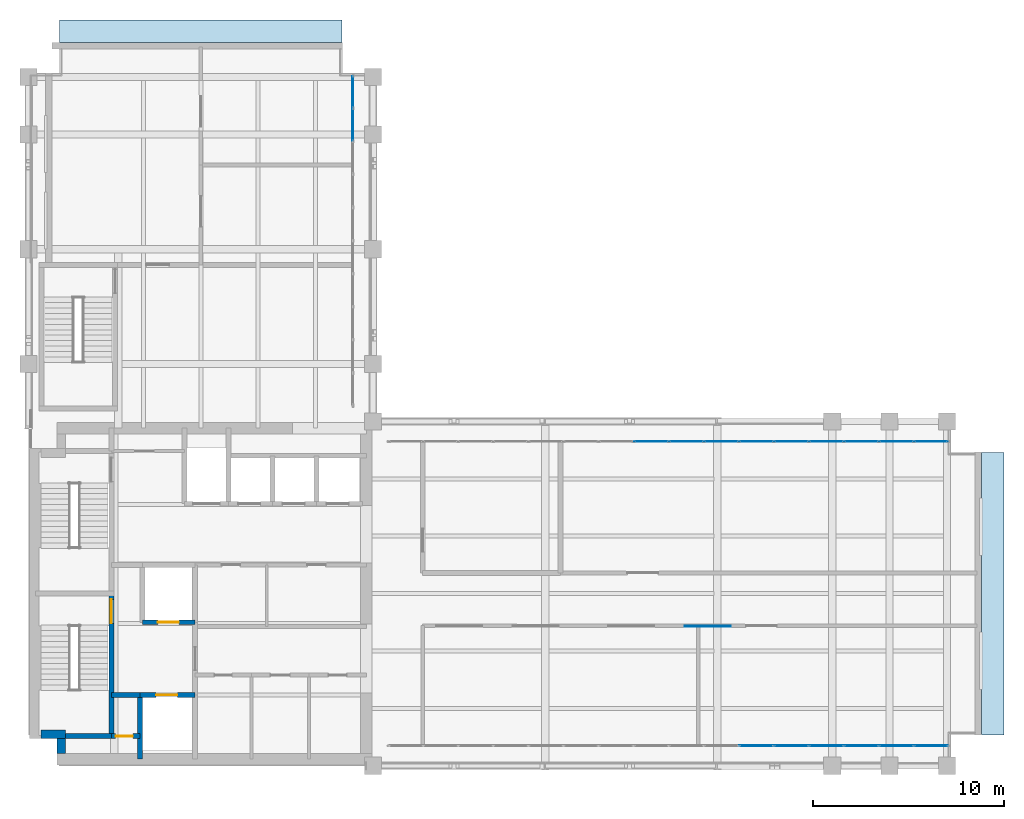
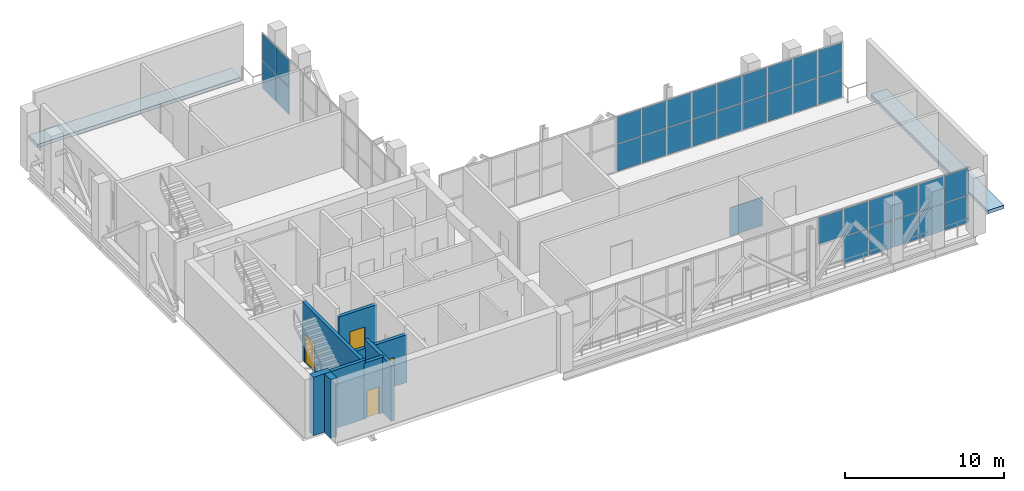
# One storey, part 22 of 26: 34 plates, 9 walls, 4 doors, 2 slabs, 4 openings, 3 elements without a shape of their own.
"""IFC4 building model written with IfcOpenShell, lengths in metres."""

from ifc_helpers import new_model, si_unit, direction, frame, frame_2d, origin, origin_2d, place, context, subcontext, project, spatial, polyline, rectangle, outline, extrude, material, layer, layer_set, type_object, element, fill, aggregate, save


model = new_model("IFC4")

# Units and contexts
model_context = context("Model", 3, precision=1e-05, world=origin(), true_north=direction((0.0, 1.0)))
body_context = subcontext(model_context, "Body", "Model", "MODEL_VIEW")
ifc_project = project(units=[si_unit("LENGTHUNIT", "METRE"), si_unit("AREAUNIT", "SQUARE_METRE"), si_unit("VOLUMEUNIT", "CUBIC_METRE"), si_unit("PLANEANGLEUNIT", "RADIAN"), si_unit("MASSUNIT", "GRAM", prefix="KILO")], contexts=[model_context])

# Site, building, storey
site_placement = place(None, origin())
site = spatial("IfcSite", under=ifc_project, at=site_placement, CompositionType="ELEMENT")
building_placement = place(site_placement, origin())
building = spatial("IfcBuilding", under=site, at=building_placement, Name="Mawjdan Bourse Tower", CompositionType="ELEMENT")
storey_placement = place(building_placement, frame((0.0, 0.0, 226.800048828125)))
storey = spatial("IfcBuildingStorey", under=building, at=storey_placement, Name="L55", CompositionType="ELEMENT", Elevation=226.800048828125)

# Plate
ifc_material_1 = material(Name="Perforated Acoustic Aluminium Sheet", Category="aluminium")
ifc_layer_1 = layer(ifc_material_1, 0.044921875)
ifc_layer_set_1 = layer_set([ifc_layer_1], Name="Perforated Acoustic Aluminium Sheet")
plate_type_1 = type_object("IfcPlateType", Name="PLT-SCR-2400", PredefinedType="SHEET", material=ifc_layer_set_1)
plate_1_placement = place(storey_placement, frame((41.5, 10.300048828125, 0.0), z_axis=(0.0, 0.0, 1.0), x_axis=(1.0, 0.0, 0.0)))
element("IfcPlate", 1, at=plate_1_placement, inside=storey, type_object=plate_type_1, Name="L55 Acoustic Plant Plenum Screen 4", PredefinedType="SHEET", context=body_context, shape_type="SweptSolid", body=[
    extrude(rectangle(XDim=2.39990234375, YDim=0.044921875, at=origin_2d()), origin(), (0.0, 0.0, 1.0), 2.199951171875),
])

# Curtain wall, plates
ifc_material_2 = material(Name="Thermally Broken Aluminium and Solar Glass", Category="aluminium")
ifc_layer_2 = layer(ifc_material_2, 0.219970703125)
ifc_layer_set_2 = layer_set([ifc_layer_2], Name="Thermally Broken Aluminium and Solar Glass")
curtain_wall_type = type_object("IfcCurtainWallType", Name="CW-RFG", PredefinedType="USERDEFINED", material=ifc_layer_set_2)
curtain_wall_1_placement = place(storey_placement, origin())
curtain_wall_1 = element("IfcCurtainWall", 2, at=curtain_wall_1_placement, inside=storey, type_object=curtain_wall_type, Name="L55 Refuge Band South Louvre Curtain Wall", ObjectType="REFUGE BAND LOUVRE SCREEN", PredefinedType="USERDEFINED")
ifc_material_3 = material(Name="Anodised Sand-Trap Aluminium Louvre", Category="aluminium")
ifc_layer_3 = layer(ifc_material_3, 0.050048828125)
ifc_layer_set_3 = layer_set([ifc_layer_3], Name="Anodised Sand-Trap Aluminium Louvre")
plate_type_2 = type_object("IfcPlateType", Name="PNL-CW-RFG", PredefinedType="CURTAIN_PANEL", material=ifc_layer_set_3)
plate_2_placement = place(storey_placement, frame((44.028076171875, 4.050048828125, 2.177490234375), z_axis=(0.0, 0.0, 1.0), x_axis=(1.0, 0.0, 0.0)))
plate_2 = element("IfcPlate", 3, at=plate_2_placement, type_object=plate_type_2, Name="CW-RFG-L55-RFG-S panel 11.2", PredefinedType="CURTAIN_PANEL", context=body_context, shape_type="SweptSolid", body=[
    extrude(rectangle(XDim=1.766357421875, YDim=0.050048828125, at=origin_2d()), origin(), (0.0, 0.0, 1.0), 2.0673828125),
])
plate_3_placement = place(storey_placement, frame((45.859375, 4.050048828125, 0.054931640625), z_axis=(0.0, 0.0, 1.0), x_axis=(1.0, 0.0, 0.0)))
plate_3 = element("IfcPlate", 4, at=plate_3_placement, type_object=plate_type_2, Name="CW-RFG-L55-RFG-S panel 12.1", PredefinedType="CURTAIN_PANEL", context=body_context, shape_type="SweptSolid", body=[
    extrude(rectangle(XDim=1.766357421875, YDim=0.050048828125, at=origin_2d()), origin(), (0.0, 0.0, 1.0), 2.0673828125),
])
plate_4_placement = place(storey_placement, frame((45.859375, 4.050048828125, 2.177490234375), z_axis=(0.0, 0.0, 1.0), x_axis=(1.0, 0.0, 0.0)))
plate_4 = element("IfcPlate", 5, at=plate_4_placement, type_object=plate_type_2, Name="CW-RFG-L55-RFG-S panel 12.2", PredefinedType="CURTAIN_PANEL", context=body_context, shape_type="SweptSolid", body=[
    extrude(rectangle(XDim=1.766357421875, YDim=0.050048828125, at=origin_2d()), origin(), (0.0, 0.0, 1.0), 2.0673828125),
])
plate_5_placement = place(storey_placement, frame((47.690673828125, 4.050048828125, 0.054931640625), z_axis=(0.0, 0.0, 1.0), x_axis=(1.0, 0.0, 0.0)))
plate_5 = element("IfcPlate", 6, at=plate_5_placement, type_object=plate_type_2, Name="CW-RFG-L55-RFG-S panel 13.1", PredefinedType="CURTAIN_PANEL", context=body_context, shape_type="SweptSolid", body=[
    extrude(rectangle(XDim=1.766357421875, YDim=0.050048828125, at=origin_2d()), origin(), (0.0, 0.0, 1.0), 2.0673828125),
])
plate_6_placement = place(storey_placement, frame((47.690673828125, 4.050048828125, 2.177490234375), z_axis=(0.0, 0.0, 1.0), x_axis=(1.0, 0.0, 0.0)))
plate_6 = element("IfcPlate", 7, at=plate_6_placement, type_object=plate_type_2, Name="CW-RFG-L55-RFG-S panel 13.2", PredefinedType="CURTAIN_PANEL", context=body_context, shape_type="SweptSolid", body=[
    extrude(rectangle(XDim=1.766357421875, YDim=0.050048828125, at=origin_2d()), origin(), (0.0, 0.0, 1.0), 2.0673828125),
])
plate_7_placement = place(storey_placement, frame((49.52197265625, 4.050048828125, 0.054931640625), z_axis=(0.0, 0.0, 1.0), x_axis=(1.0, 0.0, 0.0)))
plate_7 = element("IfcPlate", 8, at=plate_7_placement, type_object=plate_type_2, Name="CW-RFG-L55-RFG-S panel 14.1", PredefinedType="CURTAIN_PANEL", context=body_context, shape_type="SweptSolid", body=[
    extrude(rectangle(XDim=1.766357421875, YDim=0.050048828125, at=origin_2d()), origin(), (0.0, 0.0, 1.0), 2.0673828125),
])
plate_8_placement = place(storey_placement, frame((49.52197265625, 4.050048828125, 2.177490234375), z_axis=(0.0, 0.0, 1.0), x_axis=(1.0, 0.0, 0.0)))
plate_8 = element("IfcPlate", 9, at=plate_8_placement, type_object=plate_type_2, Name="CW-RFG-L55-RFG-S panel 14.2", PredefinedType="CURTAIN_PANEL", context=body_context, shape_type="SweptSolid", body=[
    extrude(rectangle(XDim=1.766357421875, YDim=0.050048828125, at=origin_2d()), origin(), (0.0, 0.0, 1.0), 2.0673828125),
])
plate_9_placement = place(storey_placement, frame((51.35302734375, 4.050048828125, 0.054931640625), z_axis=(0.0, 0.0, 1.0), x_axis=(1.0, 0.0, 0.0)))
plate_9 = element("IfcPlate", 10, at=plate_9_placement, type_object=plate_type_2, Name="CW-RFG-L55-RFG-S panel 15.1", PredefinedType="CURTAIN_PANEL", context=body_context, shape_type="SweptSolid", body=[
    extrude(rectangle(XDim=1.766357421875, YDim=0.050048828125, at=origin_2d()), origin(), (0.0, 0.0, 1.0), 2.0673828125),
])
plate_10_placement = place(storey_placement, frame((51.35302734375, 4.050048828125, 2.177490234375), z_axis=(0.0, 0.0, 1.0), x_axis=(1.0, 0.0, 0.0)))
plate_10 = element("IfcPlate", 11, at=plate_10_placement, type_object=plate_type_2, Name="CW-RFG-L55-RFG-S panel 15.2", PredefinedType="CURTAIN_PANEL", context=body_context, shape_type="SweptSolid", body=[
    extrude(rectangle(XDim=1.766357421875, YDim=0.050048828125, at=origin_2d()), origin(), (0.0, 0.0, 1.0), 2.0673828125),
])
plate_11_placement = place(storey_placement, frame((53.168212890625, 4.050048828125, 0.054931640625), z_axis=(0.0, 0.0, 1.0), x_axis=(1.0, 0.0, 0.0)))
plate_11 = element("IfcPlate", 12, at=plate_11_placement, type_object=plate_type_2, Name="CW-RFG-L55-RFG-S panel 16.1", PredefinedType="CURTAIN_PANEL", context=body_context, shape_type="SweptSolid", body=[
    extrude(rectangle(XDim=1.733642578125, YDim=0.050048828125, at=origin_2d()), origin(), (0.0, 0.0, 1.0), 2.0673828125),
])
plate_12_placement = place(storey_placement, frame((53.168212890625, 4.050048828125, 2.177490234375), z_axis=(0.0, 0.0, 1.0), x_axis=(1.0, 0.0, 0.0)))
plate_12 = element("IfcPlate", 13, at=plate_12_placement, type_object=plate_type_2, Name="CW-RFG-L55-RFG-S panel 16.2", PredefinedType="CURTAIN_PANEL", context=body_context, shape_type="SweptSolid", body=[
    extrude(rectangle(XDim=1.733642578125, YDim=0.050048828125, at=origin_2d()), origin(), (0.0, 0.0, 1.0), 2.0673828125),
])
aggregate(curtain_wall_1, [plate_2, plate_3, plate_4, plate_5, plate_6, plate_7, plate_8, plate_9, plate_10, plate_11, plate_12])

curtain_wall_2_placement = place(storey_placement, origin())
curtain_wall_2 = element("IfcCurtainWall", 14, at=curtain_wall_2_placement, inside=storey, type_object=curtain_wall_type, Name="L55 Refuge Band North Louvre Curtain Wall", ObjectType="REFUGE BAND LOUVRE SCREEN", PredefinedType="USERDEFINED")
plate_13_placement = place(storey_placement, frame((53.168212890625, 19.949951171875, 0.054931640625), z_axis=(0.0, 0.0, 1.0), x_axis=(-1.0, 0.0, 0.0)))
plate_13 = element("IfcPlate", 15, at=plate_13_placement, type_object=plate_type_2, Name="CW-RFG-L55-RFG-N panel 1.1", PredefinedType="CURTAIN_PANEL", context=body_context, shape_type="SweptSolid", body=[
    extrude(rectangle(XDim=1.733642578125, YDim=0.050048828125, at=origin_2d()), origin(), (0.0, 0.0, 1.0), 2.0673828125),
])
plate_14_placement = place(storey_placement, frame((53.168212890625, 19.949951171875, 2.177490234375), z_axis=(0.0, 0.0, 1.0), x_axis=(-1.0, 0.0, 0.0)))
plate_14 = element("IfcPlate", 16, at=plate_14_placement, type_object=plate_type_2, Name="CW-RFG-L55-RFG-N panel 1.2", PredefinedType="CURTAIN_PANEL", context=body_context, shape_type="SweptSolid", body=[
    extrude(rectangle(XDim=1.733642578125, YDim=0.050048828125, at=origin_2d()), origin(), (0.0, 0.0, 1.0), 2.0673828125),
])
plate_15_placement = place(storey_placement, frame((51.35302734375, 19.949951171875, 0.054931640625), z_axis=(0.0, 0.0, 1.0), x_axis=(-1.0, 0.0, 0.0)))
plate_15 = element("IfcPlate", 17, at=plate_15_placement, type_object=plate_type_2, Name="CW-RFG-L55-RFG-N panel 2.1", PredefinedType="CURTAIN_PANEL", context=body_context, shape_type="SweptSolid", body=[
    extrude(rectangle(XDim=1.766357421875, YDim=0.050048828125, at=origin_2d()), origin(), (0.0, 0.0, 1.0), 2.0673828125),
])
plate_16_placement = place(storey_placement, frame((51.35302734375, 19.949951171875, 2.177490234375), z_axis=(0.0, 0.0, 1.0), x_axis=(-1.0, 0.0, 0.0)))
plate_16 = element("IfcPlate", 18, at=plate_16_placement, type_object=plate_type_2, Name="CW-RFG-L55-RFG-N panel 2.2", PredefinedType="CURTAIN_PANEL", context=body_context, shape_type="SweptSolid", body=[
    extrude(rectangle(XDim=1.766357421875, YDim=0.050048828125, at=origin_2d()), origin(), (0.0, 0.0, 1.0), 2.0673828125),
])
plate_17_placement = place(storey_placement, frame((49.52197265625, 19.949951171875, 0.054931640625), z_axis=(0.0, 0.0, 1.0), x_axis=(-1.0, 0.0, 0.0)))
plate_17 = element("IfcPlate", 19, at=plate_17_placement, type_object=plate_type_2, Name="CW-RFG-L55-RFG-N panel 3.1", PredefinedType="CURTAIN_PANEL", context=body_context, shape_type="SweptSolid", body=[
    extrude(rectangle(XDim=1.766357421875, YDim=0.050048828125, at=origin_2d()), origin(), (0.0, 0.0, 1.0), 2.0673828125),
])
plate_18_placement = place(storey_placement, frame((49.52197265625, 19.949951171875, 2.177490234375), z_axis=(0.0, 0.0, 1.0), x_axis=(-1.0, 0.0, 0.0)))
plate_18 = element("IfcPlate", 20, at=plate_18_placement, type_object=plate_type_2, Name="CW-RFG-L55-RFG-N panel 3.2", PredefinedType="CURTAIN_PANEL", context=body_context, shape_type="SweptSolid", body=[
    extrude(rectangle(XDim=1.766357421875, YDim=0.050048828125, at=origin_2d()), origin(), (0.0, 0.0, 1.0), 2.0673828125),
])
plate_19_placement = place(storey_placement, frame((47.690673828125, 19.949951171875, 0.054931640625), z_axis=(0.0, 0.0, 1.0), x_axis=(-1.0, 0.0, 0.0)))
plate_19 = element("IfcPlate", 21, at=plate_19_placement, type_object=plate_type_2, Name="CW-RFG-L55-RFG-N panel 4.1", PredefinedType="CURTAIN_PANEL", context=body_context, shape_type="SweptSolid", body=[
    extrude(rectangle(XDim=1.766357421875, YDim=0.050048828125, at=origin_2d()), origin(), (0.0, 0.0, 1.0), 2.0673828125),
])
plate_20_placement = place(storey_placement, frame((47.690673828125, 19.949951171875, 2.177490234375), z_axis=(0.0, 0.0, 1.0), x_axis=(-1.0, 0.0, 0.0)))
plate_20 = element("IfcPlate", 22, at=plate_20_placement, type_object=plate_type_2, Name="CW-RFG-L55-RFG-N panel 4.2", PredefinedType="CURTAIN_PANEL", context=body_context, shape_type="SweptSolid", body=[
    extrude(rectangle(XDim=1.766357421875, YDim=0.050048828125, at=origin_2d()), origin(), (0.0, 0.0, 1.0), 2.0673828125),
])
plate_21_placement = place(storey_placement, frame((45.859375, 19.949951171875, 0.054931640625), z_axis=(0.0, 0.0, 1.0), x_axis=(-1.0, 0.0, 0.0)))
plate_21 = element("IfcPlate", 23, at=plate_21_placement, type_object=plate_type_2, Name="CW-RFG-L55-RFG-N panel 5.1", PredefinedType="CURTAIN_PANEL", context=body_context, shape_type="SweptSolid", body=[
    extrude(rectangle(XDim=1.766357421875, YDim=0.050048828125, at=origin_2d()), origin(), (0.0, 0.0, 1.0), 2.0673828125),
])
plate_22_placement = place(storey_placement, frame((45.859375, 19.949951171875, 2.177490234375), z_axis=(0.0, 0.0, 1.0), x_axis=(-1.0, 0.0, 0.0)))
plate_22 = element("IfcPlate", 24, at=plate_22_placement, type_object=plate_type_2, Name="CW-RFG-L55-RFG-N panel 5.2", PredefinedType="CURTAIN_PANEL", context=body_context, shape_type="SweptSolid", body=[
    extrude(rectangle(XDim=1.766357421875, YDim=0.050048828125, at=origin_2d()), origin(), (0.0, 0.0, 1.0), 2.0673828125),
])
plate_23_placement = place(storey_placement, frame((44.028076171875, 19.949951171875, 0.054931640625), z_axis=(0.0, 0.0, 1.0), x_axis=(-1.0, 0.0, 0.0)))
plate_23 = element("IfcPlate", 25, at=plate_23_placement, type_object=plate_type_2, Name="CW-RFG-L55-RFG-N panel 6.1", PredefinedType="CURTAIN_PANEL", context=body_context, shape_type="SweptSolid", body=[
    extrude(rectangle(XDim=1.766357421875, YDim=0.050048828125, at=origin_2d()), origin(), (0.0, 0.0, 1.0), 2.0673828125),
])
plate_24_placement = place(storey_placement, frame((44.028076171875, 19.949951171875, 2.177490234375), z_axis=(0.0, 0.0, 1.0), x_axis=(-1.0, 0.0, 0.0)))
plate_24 = element("IfcPlate", 26, at=plate_24_placement, type_object=plate_type_2, Name="CW-RFG-L55-RFG-N panel 6.2", PredefinedType="CURTAIN_PANEL", context=body_context, shape_type="SweptSolid", body=[
    extrude(rectangle(XDim=1.766357421875, YDim=0.050048828125, at=origin_2d()), origin(), (0.0, 0.0, 1.0), 2.0673828125),
])
plate_25_placement = place(storey_placement, frame((42.19677734375, 19.949951171875, 0.054931640625), z_axis=(0.0, 0.0, 1.0), x_axis=(-1.0, 0.0, 0.0)))
plate_25 = element("IfcPlate", 27, at=plate_25_placement, type_object=plate_type_2, Name="CW-RFG-L55-RFG-N panel 7.1", PredefinedType="CURTAIN_PANEL", context=body_context, shape_type="SweptSolid", body=[
    extrude(rectangle(XDim=1.766357421875, YDim=0.050048828125, at=origin_2d()), origin(), (0.0, 0.0, 1.0), 2.0673828125),
])
plate_26_placement = place(storey_placement, frame((42.19677734375, 19.949951171875, 2.177490234375), z_axis=(0.0, 0.0, 1.0), x_axis=(-1.0, 0.0, 0.0)))
plate_26 = element("IfcPlate", 28, at=plate_26_placement, type_object=plate_type_2, Name="CW-RFG-L55-RFG-N panel 7.2", PredefinedType="CURTAIN_PANEL", context=body_context, shape_type="SweptSolid", body=[
    extrude(rectangle(XDim=1.766357421875, YDim=0.050048828125, at=origin_2d()), origin(), (0.0, 0.0, 1.0), 2.0673828125),
])
plate_27_placement = place(storey_placement, frame((40.36572265625, 19.949951171875, 0.054931640625), z_axis=(0.0, 0.0, 1.0), x_axis=(-1.0, 0.0, 0.0)))
plate_27 = element("IfcPlate", 29, at=plate_27_placement, type_object=plate_type_2, Name="CW-RFG-L55-RFG-N panel 8.1", PredefinedType="CURTAIN_PANEL", context=body_context, shape_type="SweptSolid", body=[
    extrude(rectangle(XDim=1.766357421875, YDim=0.050048828125, at=origin_2d()), origin(), (0.0, 0.0, 1.0), 2.0673828125),
])
plate_28_placement = place(storey_placement, frame((40.36572265625, 19.949951171875, 2.177490234375), z_axis=(0.0, 0.0, 1.0), x_axis=(-1.0, 0.0, 0.0)))
plate_28 = element("IfcPlate", 30, at=plate_28_placement, type_object=plate_type_2, Name="CW-RFG-L55-RFG-N panel 8.2", PredefinedType="CURTAIN_PANEL", context=body_context, shape_type="SweptSolid", body=[
    extrude(rectangle(XDim=1.766357421875, YDim=0.050048828125, at=origin_2d()), origin(), (0.0, 0.0, 1.0), 2.0673828125),
])
plate_29_placement = place(storey_placement, frame((38.534423828125, 19.949951171875, 0.054931640625), z_axis=(0.0, 0.0, 1.0), x_axis=(-1.0, 0.0, 0.0)))
plate_29 = element("IfcPlate", 31, at=plate_29_placement, type_object=plate_type_2, Name="CW-RFG-L55-RFG-N panel 9.1", PredefinedType="CURTAIN_PANEL", context=body_context, shape_type="SweptSolid", body=[
    extrude(rectangle(XDim=1.766357421875, YDim=0.050048828125, at=origin_2d()), origin(), (0.0, 0.0, 1.0), 2.0673828125),
])
plate_30_placement = place(storey_placement, frame((38.534423828125, 19.949951171875, 2.177490234375), z_axis=(0.0, 0.0, 1.0), x_axis=(-1.0, 0.0, 0.0)))
plate_30 = element("IfcPlate", 32, at=plate_30_placement, type_object=plate_type_2, Name="CW-RFG-L55-RFG-N panel 9.2", PredefinedType="CURTAIN_PANEL", context=body_context, shape_type="SweptSolid", body=[
    extrude(rectangle(XDim=1.766357421875, YDim=0.050048828125, at=origin_2d()), origin(), (0.0, 0.0, 1.0), 2.0673828125),
])
aggregate(curtain_wall_2, [plate_13, plate_14, plate_15, plate_16, plate_17, plate_18, plate_19, plate_20, plate_21, plate_22, plate_23, plate_24, plate_25, plate_26, plate_27, plate_28, plate_29, plate_30])

curtain_wall_3_placement = place(storey_placement, origin())
curtain_wall_3 = element("IfcCurtainWall", 33, at=curtain_wall_3_placement, inside=storey, type_object=curtain_wall_type, Name="L55 Refuge Band North-Wing Louvre Curtain Wall", ObjectType="REFUGE BAND LOUVRE SCREEN", PredefinedType="USERDEFINED")
plate_31_placement = place(storey_placement, frame((22.949951171875, 36.5048828125, 0.054931640625), z_axis=(0.0, 0.0, 1.0), x_axis=(0.0, 1.0, 0.0)))
plate_31 = element("IfcPlate", 34, at=plate_31_placement, type_object=plate_type_2, Name="CW-RFG-L55-RFG-W panel 9.1", PredefinedType="CURTAIN_PANEL", context=body_context, shape_type="SweptSolid", body=[
    extrude(rectangle(XDim=1.6650390625, YDim=0.050048828125, at=origin_2d()), origin(), (0.0, 0.0, 1.0), 2.0673828125),
])
plate_32_placement = place(storey_placement, frame((22.949951171875, 36.5048828125, 2.177490234375), z_axis=(0.0, 0.0, 1.0), x_axis=(0.0, 1.0, 0.0)))
plate_32 = element("IfcPlate", 35, at=plate_32_placement, type_object=plate_type_2, Name="CW-RFG-L55-RFG-W panel 9.2", PredefinedType="CURTAIN_PANEL", context=body_context, shape_type="SweptSolid", body=[
    extrude(rectangle(XDim=1.6650390625, YDim=0.050048828125, at=origin_2d()), origin(), (0.0, 0.0, 1.0), 2.0673828125),
])
plate_33_placement = place(storey_placement, frame((22.949951171875, 38.21875, 0.054931640625), z_axis=(0.0, 0.0, 1.0), x_axis=(0.0, 1.0, 0.0)))
plate_33 = element("IfcPlate", 36, at=plate_33_placement, type_object=plate_type_2, Name="CW-RFG-L55-RFG-W panel 10.1", PredefinedType="CURTAIN_PANEL", context=body_context, shape_type="SweptSolid", body=[
    extrude(rectangle(XDim=1.632568359375, YDim=0.050048828125, at=origin_2d()), origin(), (0.0, 0.0, 1.0), 2.0673828125),
])
plate_34_placement = place(storey_placement, frame((22.949951171875, 38.21875, 2.177490234375), z_axis=(0.0, 0.0, 1.0), x_axis=(0.0, 1.0, 0.0)))
plate_34 = element("IfcPlate", 37, at=plate_34_placement, type_object=plate_type_2, Name="CW-RFG-L55-RFG-W panel 10.2", PredefinedType="CURTAIN_PANEL", context=body_context, shape_type="SweptSolid", body=[
    extrude(rectangle(XDim=1.632568359375, YDim=0.050048828125, at=origin_2d()), origin(), (0.0, 0.0, 1.0), 2.0673828125),
])
aggregate(curtain_wall_3, [plate_31, plate_32, plate_33, plate_34])

# Slabs
ifc_material_4 = material(Name="Concrete C50/60", Category="concrete")
ifc_layer_4 = layer(ifc_material_4, 0.260009765625)
ifc_layer_set_4 = layer_set([ifc_layer_4], Name="Concrete C50/60")
slab_type = type_object("IfcSlabType", Name="SL-ROOF-260", PredefinedType="ROOF", material=ifc_layer_set_4)
slab_1_placement = place(storey_placement, frame((0.0, 0.0, -0.260009765625)))
element("IfcSlab", 38, at=slab_1_placement, inside=storey, type_object=slab_type, Name="L55 Setback Weather Roof 1", PredefinedType="ROOF", context=body_context, shape_type="SweptSolid", body=[
    extrude(outline(polyline([(56.97998046875, 19.360107421875), (56.97998046875, 19.362060546875), (56.9794921875, 19.364013671875), (56.97900390625, 19.36572265625), (56.978515625, 19.36767578125), (56.9775390625, 19.369384765625), (56.9765625, 19.37109375), (56.9755859375, 19.372802734375), (56.97412109375, 19.3740234375), (56.97265625, 19.37548828125), (56.97119140625, 19.376708984375), (56.969482421875, 19.377685546875), (56.9677734375, 19.37841796875), (56.9658203125, 19.379150390625), (56.9638671875, 19.379638671875), (56.9619140625, 19.3798828125), (56.9599609375, 19.3798828125), (55.830078125, 19.3798828125), (55.827880859375, 19.3798828125), (55.826171875, 19.379638671875), (55.82421875, 19.379150390625), (55.822265625, 19.37841796875), (55.820556640625, 19.377685546875), (55.81884765625, 19.376708984375), (55.8173828125, 19.37548828125), (55.81591796875, 19.3740234375), (55.814453125, 19.372802734375), (55.8134765625, 19.37109375), (55.8125, 19.369384765625), (55.8115234375, 19.36767578125), (55.810791015625, 19.36572265625), (55.810302734375, 19.364013671875), (55.81005859375, 19.362060546875), (55.81005859375, 19.360107421875), (55.81005859375, 4.639892578125), (55.81005859375, 4.637939453125), (55.810302734375, 4.635986328125), (55.810791015625, 4.63427734375), (55.8115234375, 4.63232421875), (55.8125, 4.630615234375), (55.8134765625, 4.62890625), (55.814453125, 4.627197265625), (55.81591796875, 4.6259765625), (55.8173828125, 4.62451171875), (55.81884765625, 4.623291015625), (55.820556640625, 4.622314453125), (55.822265625, 4.62158203125), (55.82421875, 4.620849609375), (55.826171875, 4.620361328125), (55.827880859375, 4.6201171875), (55.830078125, 4.6201171875), (56.9599609375, 4.6201171875), (56.9619140625, 4.6201171875), (56.9638671875, 4.620361328125), (56.9658203125, 4.620849609375), (56.9677734375, 4.62158203125), (56.969482421875, 4.622314453125), (56.97119140625, 4.623291015625), (56.97265625, 4.62451171875), (56.97412109375, 4.6259765625), (56.9755859375, 4.627197265625), (56.9765625, 4.62890625), (56.9775390625, 4.630615234375), (56.978515625, 4.63232421875), (56.97900390625, 4.63427734375), (56.9794921875, 4.635986328125), (56.97998046875, 4.637939453125), (56.97998046875, 4.639892578125), (56.97998046875, 19.360107421875)])), origin(), (0.0, 0.0, 1.0), 0.260009765625),
])
slab_2_placement = place(storey_placement, frame((0.0, 0.0, -0.260009765625)))
element("IfcSlab", 39, at=slab_2_placement, inside=storey, type_object=slab_type, Name="L55 Setback Weather Roof 2", PredefinedType="ROOF", context=body_context, shape_type="SweptSolid", body=[
    extrude(outline(polyline([(7.639892578125, 41.97998046875), (7.637939453125, 41.97998046875), (7.635986328125, 41.9794921875), (7.63427734375, 41.97900390625), (7.63232421875, 41.978515625), (7.630615234375, 41.9775390625), (7.62890625, 41.9765625), (7.627197265625, 41.9755859375), (7.6259765625, 41.97412109375), (7.62451171875, 41.97265625), (7.623291015625, 41.97119140625), (7.622314453125, 41.969482421875), (7.62158203125, 41.9677734375), (7.620849609375, 41.9658203125), (7.620361328125, 41.9638671875), (7.6201171875, 41.9619140625), (7.6201171875, 41.9599609375), (7.6201171875, 40.830078125), (7.6201171875, 40.827880859375), (7.620361328125, 40.826171875), (7.620849609375, 40.82421875), (7.62158203125, 40.822265625), (7.622314453125, 40.820556640625), (7.623291015625, 40.81884765625), (7.62451171875, 40.8173828125), (7.6259765625, 40.81591796875), (7.627197265625, 40.814453125), (7.62890625, 40.8134765625), (7.630615234375, 40.8125), (7.63232421875, 40.8115234375), (7.63427734375, 40.810791015625), (7.635986328125, 40.810302734375), (7.637939453125, 40.81005859375), (7.639892578125, 40.81005859375), (22.360107421875, 40.81005859375), (22.362060546875, 40.81005859375), (22.364013671875, 40.810302734375), (22.36572265625, 40.810791015625), (22.36767578125, 40.8115234375), (22.369384765625, 40.8125), (22.37109375, 40.8134765625), (22.372802734375, 40.814453125), (22.3740234375, 40.81591796875), (22.37548828125, 40.8173828125), (22.376708984375, 40.81884765625), (22.377685546875, 40.820556640625), (22.37841796875, 40.822265625), (22.379150390625, 40.82421875), (22.379638671875, 40.826171875), (22.3798828125, 40.827880859375), (22.3798828125, 40.830078125), (22.3798828125, 41.9599609375), (22.3798828125, 41.9619140625), (22.379638671875, 41.9638671875), (22.379150390625, 41.9658203125), (22.37841796875, 41.9677734375), (22.377685546875, 41.969482421875), (22.376708984375, 41.97119140625), (22.37548828125, 41.97265625), (22.3740234375, 41.97412109375), (22.372802734375, 41.9755859375), (22.37109375, 41.9765625), (22.369384765625, 41.9775390625), (22.36767578125, 41.978515625), (22.36572265625, 41.97900390625), (22.364013671875, 41.9794921875), (22.362060546875, 41.97998046875), (22.360107421875, 41.97998046875), (7.639892578125, 41.97998046875)])), origin(), (0.0, 0.0, 1.0), 0.260009765625),
])

# Walls
ifc_material_5 = material(Name="Concrete C60/75", Category="concrete")
ifc_layer_5 = layer(ifc_material_5, 0.449951171875)
ifc_layer_set_5 = layer_set([ifc_layer_5], Name="Concrete C60/75")
wall_type_1 = type_object("IfcWallType", Name="WL-CORE-450", PredefinedType="SHEAR", material=ifc_layer_set_5)
wall_1_placement = place(storey_placement, frame((6.64990234375, 4.64990234375, 0.0), z_axis=(0.0, 0.0, 1.0), x_axis=(1.0, 0.0, 0.0)))
element("IfcWall", 40, at=wall_1_placement, inside=storey, type_object=wall_type_1, Name="L55 Rear Core Shear Wall SW-X", PredefinedType="SHEAR", context=body_context, shape_type="SweptSolid", body=[
    extrude(rectangle(XDim=1.275146484375, YDim=0.449951171875, at=frame_2d((0.6376953125, 0.0))), origin(), (0.0, 0.0, 1.0), 4.5),
])
wall_2_placement = place(storey_placement, frame((7.699951171875, 3.64990234375, 0.0), z_axis=(0.0, 0.0, 1.0), x_axis=(0.0, 1.0, 0.0)))
element("IfcWall", 41, at=wall_2_placement, inside=storey, type_object=wall_type_1, Name="L55 Rear Core Shear Wall SW-Y", PredefinedType="SHEAR", context=body_context, shape_type="SweptSolid", body=[
    extrude(rectangle(XDim=0.775146484375, YDim=0.449951171875, at=frame_2d((0.3876953125, 0.0))), origin(), (0.0, 0.0, 1.0), 4.5),
])

# Wall, opening, door
ifc_layer_6 = layer(ifc_material_4, 0.25)
ifc_layer_set_6 = layer_set([ifc_layer_6], Name="Concrete C50/60")
wall_type_2 = type_object("IfcWallType", Name="WL-SHFT-250", PredefinedType="PARTITIONING", material=ifc_layer_set_6)
wall_3_placement = place(storey_placement, frame((10.330078125, 4.550048828125, 0.0), z_axis=(0.0, 0.0, 1.0), x_axis=(1.0, 0.0, 0.0)))
wall_3 = element("IfcWall", 42, at=wall_3_placement, inside=storey, type_object=wall_type_2, Name="L55 SW Riser North Wall", PredefinedType="PARTITIONING", context=body_context, shape_type="SweptSolid", body=[
    extrude(rectangle(XDim=1.489990234375, YDim=0.25, at=frame_2d((0.7451171875, 0.0))), origin(), (0.0, 0.0, 1.0), 4.2900390625),
])
opening_1_placement = place(wall_3_placement, frame((0.219970703125, 0.0, 0.0)))
opening_1 = element("IfcOpeningElement", 43, at=opening_1_placement, cuts=wall_3, Name="Opening RD-L55-03", PredefinedType="OPENING", context=body_context, shape_type="SweptSolid", body=[
    extrude(rectangle(XDim=0.89990234375, YDim=2.10009765625, at=frame_2d((0.449951171875, 1.050048828125))), frame((0.0, 0.135009765625, 0.0), z_axis=(0.0, -1.0, 0.0), x_axis=(1.0, 0.0, 0.0)), (0.0, 0.0, 1.0), 0.27001953125),
])
ifc_material_6 = material(Name="Fire-Rated Steel Access Leaf", Category="steel")
door_type_1 = type_object("IfcDoorType", Name="FD-RSR-0900", OperationType="NOTDEFINED", PredefinedType="TRAPDOOR", material=ifc_material_6)
door_1_placement = place(opening_1_placement, origin())
door_1 = element("IfcDoor", 44, at=door_1_placement, inside=storey, type_object=door_type_1, Name="L55 Electrical Riser Access Door RD-L55-03", OperationType="SINGLE_SWING_RIGHT", OverallHeight=2.10009765625, OverallWidth=0.89990234375, PredefinedType="TRAPDOOR", context=body_context, shape_type="SweptSolid", body=[
    extrude(rectangle(XDim=0.89990234375, YDim=2.10009765625, at=frame_2d((0.449951171875, 1.050048828125))), frame((0.0, 0.02490234375, 0.0), z_axis=(0.0, -1.0, 0.0), x_axis=(1.0, 0.0, 0.0)), (0.0, 0.0, 1.0), 0.050048828125),
])
fill(opening_1, door_1)

# Wall
wall_4_placement = place(storey_placement, frame((11.820068359375, 3.35009765625, 0.0), z_axis=(0.0, 0.0, 1.0), x_axis=(0.0, 1.0, 0.0)))
element("IfcWall", 45, at=wall_4_placement, inside=storey, type_object=wall_type_2, Name="L55 SW Riser & FFL01 West Wall", PredefinedType="PARTITIONING", context=body_context, shape_type="SweptSolid", body=[
    extrude(rectangle(XDim=3.349853515625, YDim=0.25, at=frame_2d((1.6748046875, 0.0))), origin(), (0.0, 0.0, 1.0), 4.2900390625),
])

# Wall, opening, door
wall_5_placement = place(storey_placement, frame((11.820068359375, 6.699951171875, 0.0), z_axis=(0.0, 0.0, 1.0), x_axis=(1.0, 0.0, 0.0)))
wall_5 = element("IfcWall", 46, at=wall_5_placement, inside=storey, type_object=wall_type_2, Name="L55 FFL-01 Front Shaft Wall", PredefinedType="PARTITIONING", context=body_context, shape_type="SweptSolid", body=[
    extrude(rectangle(XDim=2.8798828125, YDim=0.25, at=frame_2d((1.43994140625, 0.0))), origin(), (0.0, 0.0, 1.0), 3.6728515625),
])
opening_2_placement = place(wall_5_placement, frame((0.85009765625, 0.0, 0.0)))
opening_2 = element("IfcOpeningElement", 47, at=opening_2_placement, cuts=wall_5, Name="Opening LD-L55-05", PredefinedType="OPENING", context=body_context, shape_type="SweptSolid", body=[
    extrude(rectangle(XDim=1.10009765625, YDim=2.25, at=frame_2d((0.550048828125, 1.125))), frame((0.0, 0.135009765625, 0.0), z_axis=(0.0, -1.0, 0.0), x_axis=(1.0, 0.0, 0.0)), (0.0, 0.0, 1.0), 0.27001953125),
])
ifc_material_7 = material(Name="Brushed Stainless Steel", Category="steel")
door_type_2 = type_object("IfcDoorType", Name="LD-FFL-1100", OperationType="DOUBLE_DOOR_SLIDING", PredefinedType="DOOR", material=ifc_material_7)
door_2_placement = place(opening_2_placement, origin())
door_2 = element("IfcDoor", 48, at=door_2_placement, inside=storey, type_object=door_type_2, Name="L55 Firefighting Lift FFL-01 Landing Door LD-L55-05", OperationType="DOUBLE_DOOR_SLIDING", OverallHeight=2.25, OverallWidth=1.10009765625, PredefinedType="DOOR", context=body_context, shape_type="SweptSolid", body=[
    extrude(rectangle(XDim=1.10009765625, YDim=2.25, at=frame_2d((0.550048828125, 1.125))), frame((0.0, 0.02490234375, 0.0), z_axis=(0.0, -1.0, 0.0), x_axis=(1.0, 0.0, 0.0)), (0.0, 0.0, 1.0), 0.050048828125),
])
fill(opening_2, door_2)

wall_6_placement = place(storey_placement, frame((11.949951171875, 10.5, 0.0), z_axis=(0.0, 0.0, 1.0), x_axis=(1.0, 0.0, 0.0)))
wall_6 = element("IfcWall", 49, at=wall_6_placement, inside=storey, type_object=wall_type_2, Name="L55 FFL-02 Front Shaft Wall", PredefinedType="PARTITIONING", context=body_context, shape_type="SweptSolid", body=[
    extrude(rectangle(XDim=2.75, YDim=0.25, at=frame_2d((1.375, 0.0))), origin(), (0.0, 0.0, 1.0), 3.6728515625),
])
opening_3_placement = place(wall_6_placement, frame((0.800048828125, 0.0, 0.0)))
opening_3 = element("IfcOpeningElement", 50, at=opening_3_placement, cuts=wall_6, Name="Opening LD-L55-06", PredefinedType="OPENING", context=body_context, shape_type="SweptSolid", body=[
    extrude(rectangle(XDim=1.10009765625, YDim=2.25, at=frame_2d((0.550048828125, 1.125))), frame((0.0, 0.135009765625, 0.0), z_axis=(0.0, -1.0, 0.0), x_axis=(1.0, 0.0, 0.0)), (0.0, 0.0, 1.0), 0.27001953125),
])
door_3_placement = place(opening_3_placement, origin())
door_3 = element("IfcDoor", 51, at=door_3_placement, inside=storey, type_object=door_type_2, Name="L55 Firefighting Lift FFL-02 Landing Door LD-L55-06", OperationType="DOUBLE_DOOR_SLIDING", OverallHeight=2.25, OverallWidth=1.10009765625, PredefinedType="DOOR", context=body_context, shape_type="SweptSolid", body=[
    extrude(rectangle(XDim=1.10009765625, YDim=2.25, at=frame_2d((0.550048828125, 1.125))), frame((0.0, 0.02490234375, 0.0), z_axis=(0.0, -1.0, 0.0), x_axis=(1.0, 0.0, 0.0)), (0.0, 0.0, 1.0), 0.050048828125),
])
fill(opening_3, door_3)

# Walls
wall_7_placement = place(storey_placement, frame((10.330078125, 6.699951171875, 0.0), z_axis=(0.0, 0.0, 1.0), x_axis=(1.0, 0.0, 0.0)))
element("IfcWall", 52, at=wall_7_placement, inside=storey, type_object=wall_type_2, Name="L55 Firefighting Lobby South Closure Wall", PredefinedType="PARTITIONING", context=body_context, shape_type="SweptSolid", body=[
    extrude(rectangle(XDim=1.489990234375, YDim=0.25, at=frame_2d((0.7451171875, 0.0))), origin(), (0.0, 0.0, 1.0), 3.6728515625),
])
ifc_layer_7 = layer(ifc_material_4, 0.25)
ifc_layer_set_7 = layer_set([ifc_layer_7], Name="Concrete C50/60")
wall_type_3 = type_object("IfcWallType", Name="WL-STRW-250", PredefinedType="SHEAR", material=ifc_layer_set_7)
wall_8_placement = place(storey_placement, frame((7.699951171875, 4.550048828125, 0.0), z_axis=(0.0, 0.0, 1.0), x_axis=(1.0, 0.0, 0.0)))
element("IfcWall", 53, at=wall_8_placement, inside=storey, type_object=wall_type_3, Name="L55 Stairwell ST1 South Shaft Wall", PredefinedType="SHEAR", context=body_context, shape_type="SweptSolid", body=[
    extrude(rectangle(XDim=2.755126953125, YDim=0.25, at=frame_2d((1.37744140625, 0.0))), origin(), (0.0, 0.0, 1.0), 4.5),
])

# Wall, opening, door
wall_9_placement = place(storey_placement, frame((10.330078125, 4.550048828125, 0.0), z_axis=(0.0, 0.0, 1.0), x_axis=(0.0, 1.0, 0.0)))
wall_9 = element("IfcWall", 54, at=wall_9_placement, inside=storey, type_object=wall_type_3, Name="L55 Stairwell ST1 East Enclosure Wall", PredefinedType="SHEAR", context=body_context, shape_type="SweptSolid", body=[
    extrude(rectangle(XDim=7.449951171875, YDim=0.25, at=frame_2d((3.72509765625, 0.0))), origin(), (0.0, 0.0, 1.0), 4.5),
])
opening_4_placement = place(wall_9_placement, frame((5.89990234375, 0.0, 0.0)))
opening_4 = element("IfcOpeningElement", 55, at=opening_4_placement, cuts=wall_9, Name="Opening SD-L55-01", PredefinedType="OPENING", context=body_context, shape_type="SweptSolid", body=[
    extrude(rectangle(XDim=1.25, YDim=2.199951171875, at=frame_2d((0.625, 1.10009765625))), frame((0.0, 0.135009765625, 0.0), z_axis=(0.0, -1.0, 0.0), x_axis=(1.0, 0.0, 0.0)), (0.0, 0.0, 1.0), 0.27001953125),
])
ifc_material_8 = material(Name="Fire-Rated Steel Leaf", Category="steel")
door_type_3 = type_object("IfcDoorType", Name="FD-ST-1250", OperationType="NOTDEFINED", PredefinedType="DOOR", material=ifc_material_8)
door_4_placement = place(opening_4_placement, origin())
door_4 = element("IfcDoor", 56, at=door_4_placement, inside=storey, type_object=door_type_3, Name="L55 Exit Stair ST1 Fire Door SD-L55-01", OperationType="SINGLE_SWING_RIGHT", OverallHeight=2.199951171875, OverallWidth=1.25, PredefinedType="DOOR", context=body_context, shape_type="SweptSolid", body=[
    extrude(rectangle(XDim=1.25, YDim=2.199951171875, at=frame_2d((0.625, 1.10009765625))), frame((0.0, 0.02490234375, 0.0), z_axis=(0.0, -1.0, 0.0), x_axis=(1.0, 0.0, 0.0)), (0.0, 0.0, 1.0), 0.050048828125),
])
fill(opening_4, door_4)

save(model, "model.ifc")
